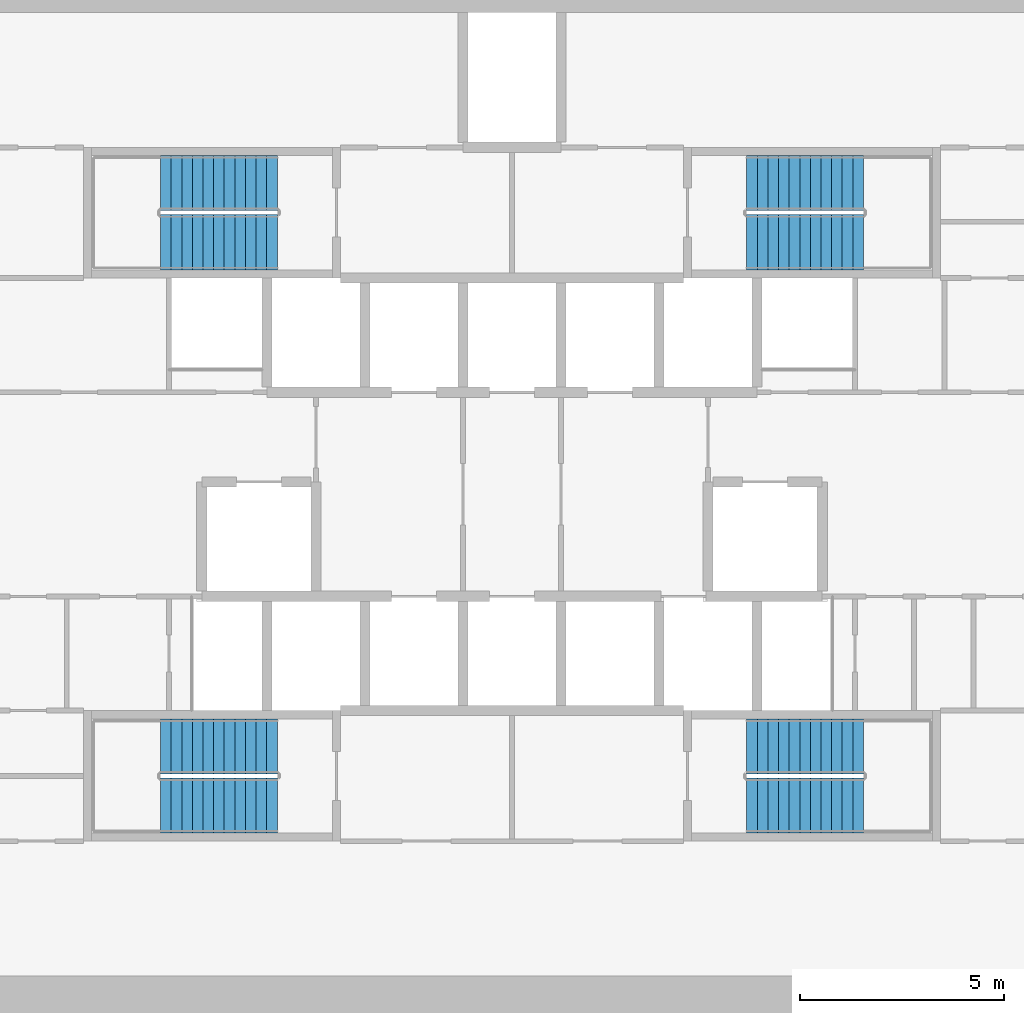
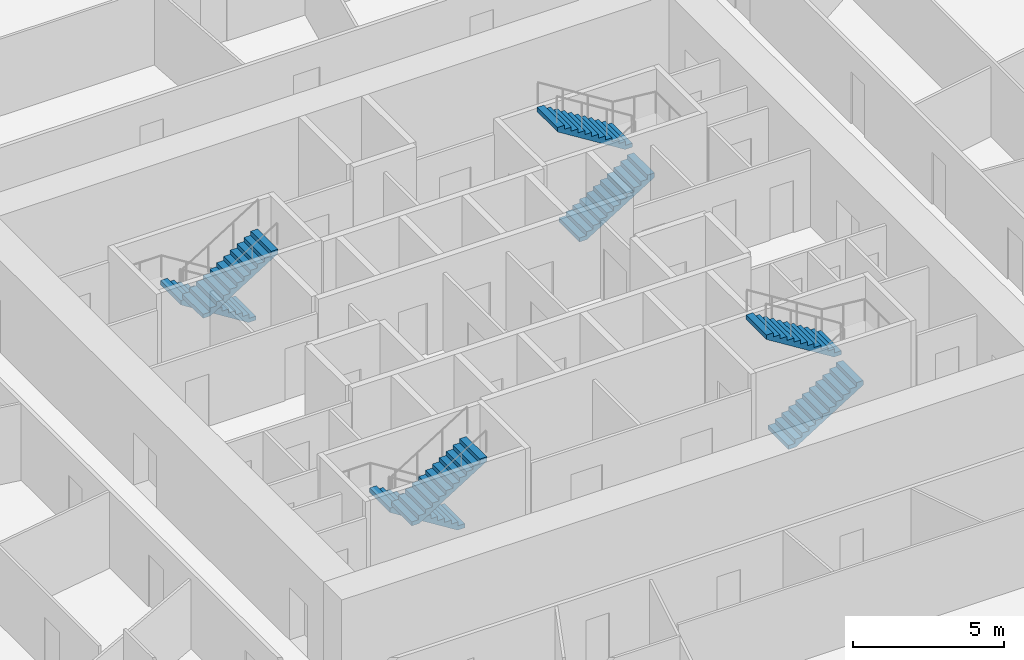
# One storey, part 10 of 11: 8 stair flights, 4 elements without a shape of their own.
"""IFC4 building model written with IfcOpenShell, lengths in metres."""

from ifc_helpers import new_model, si_unit, direction, frame, origin, place, context, subcontext, project, spatial, polyline, outline, extrude, source, transform, mapped, material, type_object, element, aggregate, save


model = new_model("IFC4")

# Units and contexts
model_context = context("Model", 3, precision=1e-05, world=origin(), true_north=direction((0.0, 1.0)))
body_context = subcontext(model_context, "Body", "Model", "MODEL_VIEW")
ifc_project = project(units=[si_unit("LENGTHUNIT", "METRE"), si_unit("AREAUNIT", "SQUARE_METRE"), si_unit("VOLUMEUNIT", "CUBIC_METRE"), si_unit("PLANEANGLEUNIT", "RADIAN"), si_unit("MASSUNIT", "GRAM", prefix="KILO")], contexts=[model_context])

# Site, building, storey
site_placement = place(None, origin())
site = spatial("IfcSite", under=ifc_project, at=site_placement, CompositionType="ELEMENT")
building_placement = place(site_placement, origin())
building = spatial("IfcBuilding", under=site, at=building_placement, Name="Embergate Tower", CompositionType="ELEMENT")
storey_placement = place(building_placement, frame((0.0, 0.0, 62.0)))
storey = spatial("IfcBuildingStorey", under=building, at=storey_placement, Name="L11", CompositionType="ELEMENT", Elevation=62.0)

# Stair, stair flights
ifc_material_1 = material(Name="Exit stair")
stair_type = type_object("IfcStairType", Name="Exit stair", PredefinedType="HALF_TURN_STAIR", material=ifc_material_1)
stair_1_placement = place(storey_placement, origin())
stair_1 = element("IfcStair", 1, at=stair_1_placement, inside=storey, type_object=stair_type, Name="L11 Exit stair 1", PredefinedType="HALF_TURN_STAIR")
ifc_material_2 = material(Name="Concrete C40", Category="concrete")
stair_flight_type = type_object("IfcStairFlightType", Name="Stair flight reinforced concrete", PredefinedType="STRAIGHT", material=ifc_material_2)
shared_shape = source(origin(), body_context, "Body", "SweptSolid", [
    extrude(outline(polyline([(0.0, 0.0), (0.0, 0.16259765625), (0.260009765625, 0.16259765625), (0.260009765625, 0.324951171875), (0.52001953125, 0.324951171875), (0.52001953125, 0.487548828125), (0.780029296875, 0.487548828125), (0.780029296875, 0.64990234375), (1.0400390625, 0.64990234375), (1.0400390625, 0.8125), (1.300048828125, 0.8125), (1.300048828125, 0.97509765625), (1.56005859375, 0.97509765625), (1.56005859375, 1.137451171875), (1.820068359375, 1.137451171875), (1.820068359375, 1.300048828125), (2.080078125, 1.300048828125), (2.080078125, 1.46240234375), (2.340087890625, 1.46240234375), (2.340087890625, 1.625), (2.60009765625, 1.625), (2.60009765625, 1.78759765625), (2.860107421875, 1.78759765625), (2.860107421875, 1.949951171875), (2.860107421875, 1.61083984375), (0.28271484375, 0.0), (0.0, 0.0)])), frame((0.0, 0.675048828125, 0.0), z_axis=(0.0, -1.0, 0.0), x_axis=(1.0, 0.0, 0.0)), (0.0, 0.0, 1.0), 1.35009765625),
])
stair_flight_1_placement = place(storey_placement, frame((-5.75, 7.625, 0.0), z_axis=(0.0, 0.0, 1.0), x_axis=(-1.0, 0.0, 0.0)))
stair_flight_1 = element("IfcStairFlight", 2, at=stair_flight_1_placement, type_object=stair_flight_type, Name="ST1 flight 1", NumberOfRisers=12, NumberOfTreads=11, PredefinedType="STRAIGHT", RiserHeight=0.1625, TreadLength=0.26, context=body_context, shape_type="MappedRepresentation", body=[
    mapped(shared_shape, transform((0.0, 0.0, 0.0))),
])
stair_flight_2_placement = place(storey_placement, frame((-8.610107421875, 6.175048828125, 1.949951171875), z_axis=(0.0, 0.0, 1.0), x_axis=(1.0, 0.0, 0.0)))
stair_flight_2 = element("IfcStairFlight", 3, at=stair_flight_2_placement, type_object=stair_flight_type, Name="ST1 flight 2", NumberOfRisers=12, NumberOfTreads=11, PredefinedType="STRAIGHT", RiserHeight=0.1625, TreadLength=0.26, context=body_context, shape_type="MappedRepresentation", body=[
    mapped(shared_shape, transform((0.0, 0.0, 0.0))),
])
aggregate(stair_1, [stair_flight_1, stair_flight_2])

stair_2_placement = place(storey_placement, origin())
stair_2 = element("IfcStair", 4, at=stair_2_placement, inside=storey, type_object=stair_type, Name="L11 Exit stair 2", PredefinedType="HALF_TURN_STAIR")
stair_flight_3_placement = place(storey_placement, frame((5.75, 6.175048828125, 0.0), z_axis=(0.0, 0.0, 1.0), x_axis=(1.0, 0.0, 0.0)))
stair_flight_3 = element("IfcStairFlight", 5, at=stair_flight_3_placement, type_object=stair_flight_type, Name="ST2 flight 1", NumberOfRisers=12, NumberOfTreads=11, PredefinedType="STRAIGHT", RiserHeight=0.1625, TreadLength=0.26, context=body_context, shape_type="MappedRepresentation", body=[
    mapped(shared_shape, transform((0.0, 0.0, 0.0))),
])
stair_flight_4_placement = place(storey_placement, frame((8.610107421875, 7.625, 1.949951171875), z_axis=(0.0, 0.0, 1.0), x_axis=(-1.0, 0.0, 0.0)))
stair_flight_4 = element("IfcStairFlight", 6, at=stair_flight_4_placement, type_object=stair_flight_type, Name="ST2 flight 2", NumberOfRisers=12, NumberOfTreads=11, PredefinedType="STRAIGHT", RiserHeight=0.1625, TreadLength=0.26, context=body_context, shape_type="MappedRepresentation", body=[
    mapped(shared_shape, transform((0.0, 0.0, 0.0))),
])
aggregate(stair_2, [stair_flight_3, stair_flight_4])

stair_3_placement = place(storey_placement, origin())
stair_3 = element("IfcStair", 7, at=stair_3_placement, inside=storey, type_object=stair_type, Name="L11 Exit stair 3", PredefinedType="HALF_TURN_STAIR")
stair_flight_5_placement = place(storey_placement, frame((-5.75, -6.175048828125, 0.0), z_axis=(0.0, 0.0, 1.0), x_axis=(-1.0, 0.0, 0.0)))
stair_flight_5 = element("IfcStairFlight", 8, at=stair_flight_5_placement, type_object=stair_flight_type, Name="ST3 flight 1", NumberOfRisers=12, NumberOfTreads=11, PredefinedType="STRAIGHT", RiserHeight=0.1625, TreadLength=0.26, context=body_context, shape_type="MappedRepresentation", body=[
    mapped(shared_shape, transform((0.0, 0.0, 0.0))),
])
stair_flight_6_placement = place(storey_placement, frame((-8.610107421875, -7.625, 1.949951171875), z_axis=(0.0, 0.0, 1.0), x_axis=(1.0, 0.0, 0.0)))
stair_flight_6 = element("IfcStairFlight", 9, at=stair_flight_6_placement, type_object=stair_flight_type, Name="ST3 flight 2", NumberOfRisers=12, NumberOfTreads=11, PredefinedType="STRAIGHT", RiserHeight=0.1625, TreadLength=0.26, context=body_context, shape_type="MappedRepresentation", body=[
    mapped(shared_shape, transform((0.0, 0.0, 0.0))),
])
aggregate(stair_3, [stair_flight_5, stair_flight_6])

stair_4_placement = place(storey_placement, origin())
stair_4 = element("IfcStair", 10, at=stair_4_placement, inside=storey, type_object=stair_type, Name="L11 Exit stair 4", PredefinedType="HALF_TURN_STAIR")
stair_flight_7_placement = place(storey_placement, frame((5.75, -7.625, 0.0), z_axis=(0.0, 0.0, 1.0), x_axis=(1.0, 0.0, 0.0)))
stair_flight_7 = element("IfcStairFlight", 11, at=stair_flight_7_placement, type_object=stair_flight_type, Name="ST4 flight 1", NumberOfRisers=12, NumberOfTreads=11, PredefinedType="STRAIGHT", RiserHeight=0.1625, TreadLength=0.26, context=body_context, shape_type="MappedRepresentation", body=[
    mapped(shared_shape, transform((0.0, 0.0, 0.0))),
])
stair_flight_8_placement = place(storey_placement, frame((8.610107421875, -6.175048828125, 1.949951171875), z_axis=(0.0, 0.0, 1.0), x_axis=(-1.0, 0.0, 0.0)))
stair_flight_8 = element("IfcStairFlight", 12, at=stair_flight_8_placement, type_object=stair_flight_type, Name="ST4 flight 2", NumberOfRisers=12, NumberOfTreads=11, PredefinedType="STRAIGHT", RiserHeight=0.1625, TreadLength=0.26, context=body_context, shape_type="MappedRepresentation", body=[
    mapped(shared_shape, transform((0.0, 0.0, 0.0))),
])
aggregate(stair_4, [stair_flight_7, stair_flight_8])

save(model, "model.ifc")
